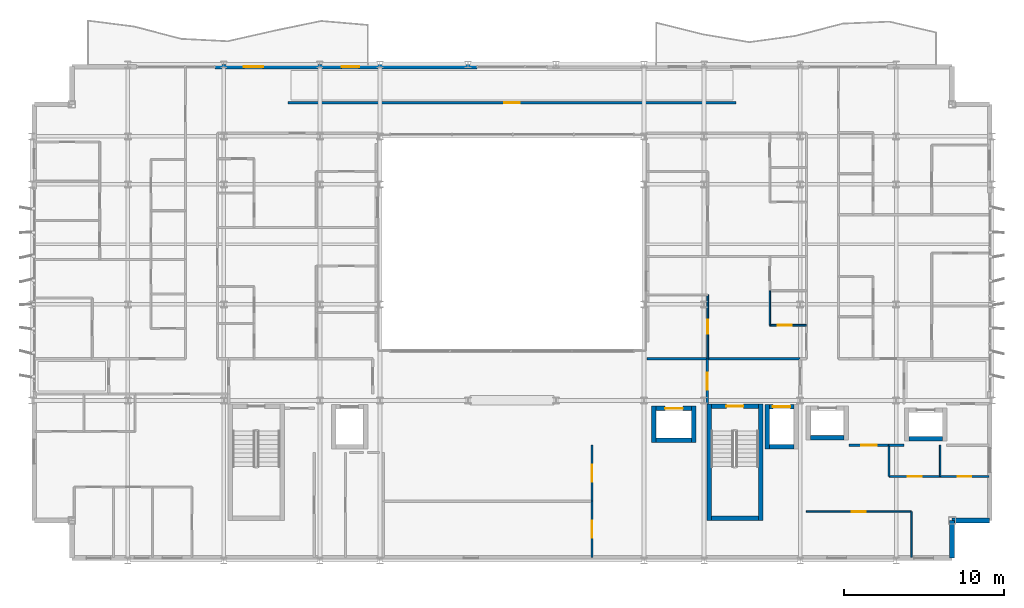
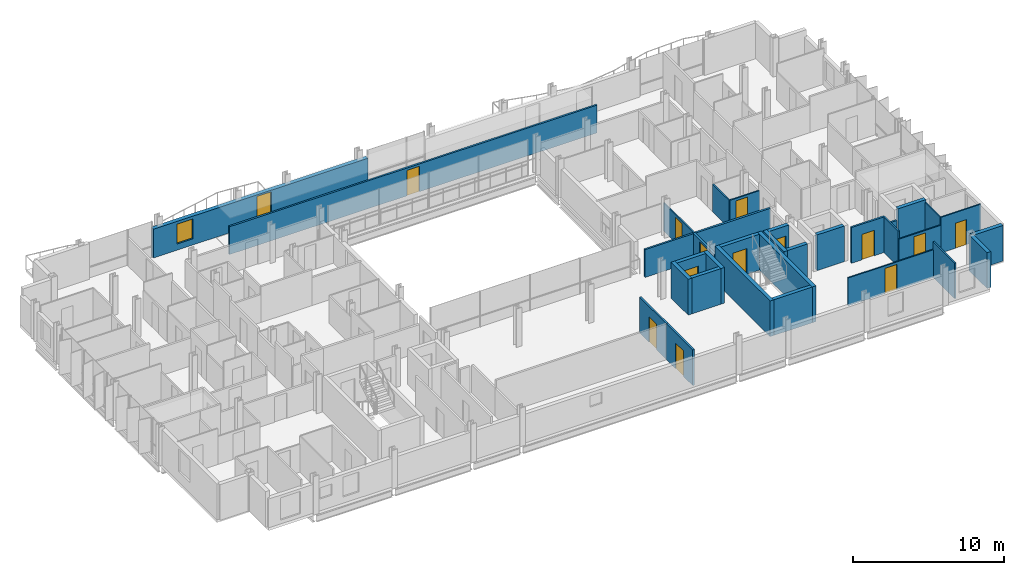
# One storey, part 30 of 38: 33 walls, 14 doors, 1 window, 15 openings.
"""IFC4 building model written with IfcOpenShell, lengths in metres."""

from ifc_helpers import new_model, si_unit, direction, frame, frame_2d, origin, place, context, subcontext, project, spatial, rectangle, extrude, material, layer, layer_set, type_object, element, fill, save


model = new_model("IFC4")

# Units and contexts
model_context = context("Model", 3, precision=1e-05, world=origin(), true_north=direction((0.0, 1.0)))
body_context = subcontext(model_context, "Body", "Model", "MODEL_VIEW")
ifc_project = project(units=[si_unit("LENGTHUNIT", "METRE"), si_unit("AREAUNIT", "SQUARE_METRE"), si_unit("VOLUMEUNIT", "CUBIC_METRE"), si_unit("PLANEANGLEUNIT", "RADIAN"), si_unit("MASSUNIT", "GRAM", prefix="KILO")], contexts=[model_context])

# Site, building, storey
site_placement = place(None, origin())
site = spatial("IfcSite", under=ifc_project, at=site_placement, CompositionType="ELEMENT")
building_placement = place(site_placement, origin())
building = spatial("IfcBuilding", under=site, at=building_placement, Name="Brevholm Reach", CompositionType="ELEMENT")
storey_placement = place(building_placement, frame((0.0, 0.0, 128.300048828125)))
storey = spatial("IfcBuildingStorey", under=building, at=storey_placement, Name="L38", CompositionType="ELEMENT", Elevation=128.300048828125)

# Walls
ifc_material_1 = material(Name="Concrete C50/60", Category="concrete")
ifc_layer_1 = layer(ifc_material_1, 0.280029296875)
ifc_layer_set_1 = layer_set([ifc_layer_1], Name="Concrete C50/60")
wall_type_1 = type_object("IfcWallType", Name="WAL-COR-280", PredefinedType="SHEAR", material=ifc_layer_set_1)
for number, where, z_axis, x_axis, name in (
    (1, (42.31005859375, 2.5, 0.0), (0.0, 0.0, 1.0), (0.0, 1.0, 0.0), "L38 Escape Stair ST-2 Core Wall W"),
    (2, (45.5400390625, 2.5, 0.0), (0.0, 0.0, 1.0), (0.0, 1.0, 0.0), "L38 Escape Stair ST-2 Core Wall E"),
):
    element("IfcWall", number, at=place(storey_placement, frame(where, z_axis=z_axis, x_axis=x_axis)), inside=storey, type_object=wall_type_1, Name=name, PredefinedType="SHEAR", context=body_context, shape_type="SweptSolid", body=[
        extrude(rectangle(XDim=7.280029296875, YDim=0.280029296875, at=frame_2d((3.64013671875, 0.0))), origin(), (0.0, 0.0, 1.0), 2.8798828125),
    ])
wall_1_placement = place(storey_placement, frame((42.449951171875, 2.639892578125, 0.0), z_axis=(0.0, 0.0, 1.0), x_axis=(1.0, 0.0, 0.0)))
element("IfcWall", 3, at=wall_1_placement, inside=storey, type_object=wall_type_1, Name="L38 Escape Stair ST-2 Core Wall S", PredefinedType="SHEAR", context=body_context, shape_type="SweptSolid", body=[
    extrude(rectangle(XDim=2.949951171875, YDim=0.280029296875, at=frame_2d((1.47509765625, 0.0))), origin(), (0.0, 0.0, 1.0), 2.8798828125),
])

# Wall, opening, door
wall_2_placement = place(storey_placement, frame((45.39990234375, 9.639892578125, 0.0), z_axis=(0.0, 0.0, 1.0), x_axis=(-1.0, 0.0, 0.0)))
wall_2 = element("IfcWall", 4, at=wall_2_placement, inside=storey, type_object=wall_type_1, Name="L38 Escape Stair ST-2 Core Wall N", PredefinedType="SHEAR", context=body_context, shape_type="SweptSolid", body=[
    extrude(rectangle(XDim=2.949951171875, YDim=0.280029296875, at=frame_2d((1.47509765625, 0.0))), origin(), (0.0, 0.0, 1.0), 2.8798828125),
])
opening_1_placement = place(wall_2_placement, frame((0.949951171875, 0.0, 0.0)))
opening_1 = element("IfcOpeningElement", 5, at=opening_1_placement, cuts=wall_2, Name="Opening SD-ST-2", PredefinedType="OPENING", context=body_context, shape_type="SweptSolid", body=[
    extrude(rectangle(XDim=1.050048828125, YDim=2.06005859375, at=frame_2d((0.52490234375, 1.030029296875))), frame((0.0, 0.14990234375, 0.0), z_axis=(0.0, -1.0, 0.0), x_axis=(1.0, 0.0, 0.0)), (0.0, 0.0, 1.0), 0.300048828125),
])
ifc_material_2 = material(Name="Hardwood-Lipped Steel-Core Fire and Smoke Door", Category="steel")
door_type_1 = type_object("IfcDoorType", Name="DOR-INT-FD60S", OperationType="NOTDEFINED", PredefinedType="DOOR", material=ifc_material_2)
door_1_placement = place(opening_1_placement, origin())
door_1 = element("IfcDoor", 6, at=door_1_placement, inside=storey, type_object=door_type_1, Name="L38 Protected Stair ST-2 Lobby Door", OperationType="SINGLE_SWING_LEFT", OverallHeight=2.06005859375, OverallWidth=1.050048828125, PredefinedType="DOOR", context=body_context, shape_type="SweptSolid", body=[
    extrude(rectangle(XDim=1.050048828125, YDim=2.06005859375, at=frame_2d((0.52490234375, 1.030029296875))), frame((0.0, 0.02490234375, 0.0), z_axis=(0.0, -1.0, 0.0), x_axis=(1.0, 0.0, 0.0)), (0.0, 0.0, 1.0), 0.050048828125),
])
fill(opening_1, door_1)

# Walls
wall_3_placement = place(storey_placement, frame((45.949951171875, 6.9599609375, 0.0), z_axis=(0.0, 0.0, 1.0), x_axis=(0.0, 1.0, 0.0)))
element("IfcWall", 7, at=wall_3_placement, inside=storey, type_object=wall_type_1, Name="L38 Lift FFL-2 Shaft Wall W", PredefinedType="SHEAR", context=body_context, shape_type="SweptSolid", body=[
    extrude(rectangle(XDim=2.780029296875, YDim=0.280029296875, at=frame_2d((1.39013671875, 0.0))), origin(), (0.0, 0.0, 1.0), 2.8798828125),
])
wall_4_placement = place(storey_placement, frame((46.090087890625, 7.10009765625, 0.0), z_axis=(0.0, 0.0, 1.0), x_axis=(1.0, 0.0, 0.0)))
element("IfcWall", 8, at=wall_4_placement, inside=storey, type_object=wall_type_1, Name="L38 Lift FFL-2 Shaft Wall S", PredefinedType="SHEAR", context=body_context, shape_type="SweptSolid", body=[
    extrude(rectangle(XDim=1.52001953125, YDim=0.280029296875, at=frame_2d((0.760009765625, 0.0))), origin(), (0.0, 0.0, 1.0), 2.8798828125),
])

# Wall, opening, door
wall_5_placement = place(storey_placement, frame((46.090087890625, 9.60009765625, 0.0), z_axis=(0.0, 0.0, 1.0), x_axis=(1.0, 0.0, 0.0)))
wall_5 = element("IfcWall", 9, at=wall_5_placement, inside=storey, type_object=wall_type_1, Name="L38 Lift FFL-2 Shaft Wall N", PredefinedType="SHEAR", context=body_context, shape_type="SweptSolid", body=[
    extrude(rectangle(XDim=1.52001953125, YDim=0.280029296875, at=frame_2d((0.760009765625, 0.0))), origin(), (0.0, 0.0, 1.0), 2.8798828125),
])
opening_2_placement = place(wall_5_placement, frame((0.2099609375, 0.0, 0.0)))
opening_2 = element("IfcOpeningElement", 10, at=opening_2_placement, cuts=wall_5, Name="Opening LD-FFL-2", PredefinedType="OPENING", context=body_context, shape_type="SweptSolid", body=[
    extrude(rectangle(XDim=1.10009765625, YDim=2.06005859375, at=frame_2d((0.550048828125, 1.030029296875))), frame((0.0, 0.14990234375, 0.0), z_axis=(0.0, -1.0, 0.0), x_axis=(1.0, 0.0, 0.0)), (0.0, 0.0, 1.0), 0.300048828125),
])
ifc_material_3 = material(Name="Brushed Stainless Steel Fire-Rated Sliding Lift Door", Category="steel")
door_type_2 = type_object("IfcDoorType", Name="DOR-LFT-1100", OperationType="NOTDEFINED", PredefinedType="DOOR", material=ifc_material_3)
door_2_placement = place(opening_2_placement, origin())
door_2 = element("IfcDoor", 11, at=door_2_placement, inside=storey, type_object=door_type_2, Name="L38 Lift FFL-2 Sliding Landing Door", OperationType="SLIDING_TO_LEFT", OverallHeight=2.06005859375, OverallWidth=1.10009765625, PredefinedType="DOOR", context=body_context, shape_type="SweptSolid", body=[
    extrude(rectangle(XDim=1.10009765625, YDim=2.06005859375, at=frame_2d((0.550048828125, 1.030029296875))), frame((0.0, 0.02490234375, 0.0), z_axis=(0.0, -1.0, 0.0), x_axis=(1.0, 0.0, 0.0)), (0.0, 0.0, 1.0), 0.050048828125),
])
fill(opening_2, door_2)

# Walls
wall_6_placement = place(storey_placement, frame((48.6650390625, 7.675048828125, 0.0), z_axis=(0.0, 0.0, 1.0), x_axis=(1.0, 0.0, 0.0)))
element("IfcWall", 12, at=wall_6_placement, inside=storey, type_object=wall_type_1, Name="L38 Lift PL-L1 Shaft Wall S", PredefinedType="SHEAR", context=body_context, shape_type="SweptSolid", body=[
    extrude(rectangle(XDim=2.070068359375, YDim=0.280029296875, at=frame_2d((1.03515625, 0.0))), origin(), (0.0, 0.0, 1.0), 2.8798828125),
])
wall_7_placement = place(storey_placement, frame((54.7900390625, 7.60009765625, 0.0), z_axis=(0.0, 0.0, 1.0), x_axis=(1.0, 0.0, 0.0)))
element("IfcWall", 13, at=wall_7_placement, inside=storey, type_object=wall_type_1, Name="L38 Lift PL-L2 Shaft Wall S", PredefinedType="SHEAR", context=body_context, shape_type="SweptSolid", body=[
    extrude(rectangle(XDim=2.119873046875, YDim=0.280029296875, at=frame_2d((1.06005859375, 0.0))), origin(), (0.0, 0.0, 1.0), 2.8798828125),
])
for number, where, z_axis, x_axis, name in (
    (14, (38.8701171875, 7.360107421875, 0.0), (0.0, 0.0, 1.0), (0.0, 1.0, 0.0), "L38 Lift PL-S1 Shaft Wall W"),
    (15, (41.3701171875, 7.360107421875, 0.0), (0.0, 0.0, 1.0), (0.0, 1.0, 0.0), "L38 Lift PL-S1 Shaft Wall E"),
):
    element("IfcWall", number, at=place(storey_placement, frame(where, z_axis=z_axis, x_axis=x_axis)), inside=storey, type_object=wall_type_1, Name=name, PredefinedType="SHEAR", context=body_context, shape_type="SweptSolid", body=[
        extrude(rectangle(XDim=2.27978515625, YDim=0.280029296875, at=frame_2d((1.139892578125, 0.0))), origin(), (0.0, 0.0, 1.0), 2.8798828125),
    ])
wall_8_placement = place(storey_placement, frame((39.010009765625, 7.5, 0.0), z_axis=(0.0, 0.0, 1.0), x_axis=(1.0, 0.0, 0.0)))
element("IfcWall", 16, at=wall_8_placement, inside=storey, type_object=wall_type_1, Name="L38 Lift PL-S1 Shaft Wall S", PredefinedType="SHEAR", context=body_context, shape_type="SweptSolid", body=[
    extrude(rectangle(XDim=2.219970703125, YDim=0.280029296875, at=frame_2d((1.10986328125, 0.0))), origin(), (0.0, 0.0, 1.0), 2.8798828125),
])

# Wall, opening, door
wall_9_placement = place(storey_placement, frame((39.010009765625, 9.5, 0.0), z_axis=(0.0, 0.0, 1.0), x_axis=(1.0, 0.0, 0.0)))
wall_9 = element("IfcWall", 17, at=wall_9_placement, inside=storey, type_object=wall_type_1, Name="L38 Lift PL-S1 Shaft Wall N", PredefinedType="SHEAR", context=body_context, shape_type="SweptSolid", body=[
    extrude(rectangle(XDim=2.219970703125, YDim=0.280029296875, at=frame_2d((1.10986328125, 0.0))), origin(), (0.0, 0.0, 1.0), 2.8798828125),
])
opening_3_placement = place(wall_9_placement, frame((0.56005859375, 0.0, 0.0)))
opening_3 = element("IfcOpeningElement", 18, at=opening_3_placement, cuts=wall_9, Name="Opening LD-PL-S1", PredefinedType="OPENING", context=body_context, shape_type="SweptSolid", body=[
    extrude(rectangle(XDim=1.10009765625, YDim=2.06005859375, at=frame_2d((0.550048828125, 1.030029296875))), frame((0.0, 0.14990234375, 0.0), z_axis=(0.0, -1.0, 0.0), x_axis=(1.0, 0.0, 0.0)), (0.0, 0.0, 1.0), 0.300048828125),
])
door_3_placement = place(opening_3_placement, origin())
door_3 = element("IfcDoor", 19, at=door_3_placement, inside=storey, type_object=door_type_2, Name="L38 Lift PL-S1 Sliding Landing Door", OperationType="SLIDING_TO_RIGHT", OverallHeight=2.06005859375, OverallWidth=1.10009765625, PredefinedType="DOOR", context=body_context, shape_type="SweptSolid", body=[
    extrude(rectangle(XDim=1.10009765625, YDim=2.06005859375, at=frame_2d((0.550048828125, 1.030029296875))), frame((0.0, 0.02490234375, 0.0), z_axis=(0.0, -1.0, 0.0), x_axis=(1.0, 0.0, 0.0)), (0.0, 0.0, 1.0), 0.050048828125),
])
fill(opening_3, door_3)

# Walls
ifc_material_4 = material(Name="Concrete C40/50", Category="concrete")
ifc_layer_2 = layer(ifc_material_4, 0.300048828125)
ifc_layer_set_2 = layer_set([ifc_layer_2], Name="Concrete C40/50")
wall_type_2 = type_object("IfcWallType", Name="WAL-EXT-300", PredefinedType="STANDARD", material=ifc_layer_set_2)
for number, where, z_axis, x_axis, name in (
    (20, (57.5, 0.14990234375, 0.0), (0.0, 0.0, 1.0), (0.0, 1.0, 0.0), "L38 Facade Wall WAL-L38-CSE1"),
    (21, (57.5, 2.5, 0.0), (0.0, 0.0, 1.0), (1.0, 0.0, 0.0), "L38 Facade Wall WAL-L38-CSE2"),
):
    element("IfcWall", number, at=place(storey_placement, frame(where, z_axis=z_axis, x_axis=x_axis)), inside=storey, type_object=wall_type_2, Name=name, PredefinedType="STANDARD", context=body_context, shape_type="SweptSolid", body=[
        extrude(rectangle(XDim=2.35009765625, YDim=0.300048828125, at=frame_2d((1.175048828125, 0.0))), origin(), (0.0, 0.0, 1.0), 2.8798828125),
    ])

# Wall, openings, door, window
wall_10_placement = place(storey_placement, frame((11.449951171875, 30.85009765625, 0.0), z_axis=(0.0, 0.0, 1.0), x_axis=(1.0, 0.0, 0.0)))
wall_10 = element("IfcWall", 22, at=wall_10_placement, inside=storey, type_object=wall_type_2, Name="L38 Facade Wall WAL-L38-NP-WL", PredefinedType="STANDARD", context=body_context, shape_type="SweptSolid", body=[
    extrude(rectangle(XDim=16.35009765625, YDim=0.300048828125, at=frame_2d((8.175048828125, 0.0))), origin(), (0.0, 0.0, 1.0), 2.32177734375),
])
opening_4_placement = place(wall_10_placement, frame((7.89794921875, 0.0, 0.0)))
opening_4 = element("IfcOpeningElement", 23, at=opening_4_placement, cuts=wall_10, Name="Opening BD-01", PredefinedType="OPENING", context=body_context, shape_type="SweptSolid", body=[
    extrude(rectangle(XDim=1.10009765625, YDim=2.199951171875, at=frame_2d((0.550048828125, 1.10009765625))), frame((0.0, 0.159912109375, 0.0), z_axis=(0.0, -1.0, 0.0), x_axis=(1.0, 0.0, 0.0)), (0.0, 0.0, 1.0), 0.320068359375),
])
opening_5_placement = place(wall_10_placement, frame((1.800048828125, 0.0, 0.501953125)))
opening_5 = element("IfcOpeningElement", 24, at=opening_5_placement, cuts=wall_10, Name="Opening WN-08", PredefinedType="OPENING", context=body_context, shape_type="SweptSolid", body=[
    extrude(rectangle(XDim=1.199951171875, YDim=1.60009765625, at=frame_2d((0.60009765625, 0.800048828125))), frame((0.0, 0.159912109375, 0.0), z_axis=(0.0, -1.0, 0.0), x_axis=(1.0, 0.0, 0.0)), (0.0, 0.0, 1.0), 0.320068359375),
])
ifc_material_5 = material(Name="Dark Anodised Aluminium and Triple-Glazed Glass", Category="aluminium")
door_type_3 = type_object("IfcDoorType", Name="DOR-BALC-1100", OperationType="NOTDEFINED", PredefinedType="DOOR", material=ifc_material_5)
door_4_placement = place(opening_4_placement, origin())
door_4 = element("IfcDoor", 25, at=door_4_placement, inside=storey, type_object=door_type_3, Name="L38 Exterior Door DOR-L38-BL-NW", OperationType="SINGLE_SWING_RIGHT", OverallHeight=2.199951171875, OverallWidth=1.10009765625, PredefinedType="DOOR", context=body_context, shape_type="SweptSolid", body=[
    extrude(rectangle(XDim=1.10009765625, YDim=2.199951171875, at=frame_2d((0.550048828125, 1.10009765625))), frame((0.0, 0.02490234375, 0.0), z_axis=(0.0, -1.0, 0.0), x_axis=(1.0, 0.0, 0.0)), (0.0, 0.0, 1.0), 0.050048828125),
])
fill(opening_4, door_4)
ifc_material_6 = material(Name="Dark Anodised Aluminium and Solar-Control IGU Glass", Category="aluminium")
window_type = type_object("IfcWindowType", Name="WIN-RES-1200", PartitioningType="SINGLE_PANEL", PredefinedType="WINDOW", material=ifc_material_6)
window_placement = place(opening_5_placement, origin())
window = element("IfcWindow", 26, at=window_placement, inside=storey, type_object=window_type, Name="L38 Window WIN-L38-NP-WL1", OverallHeight=1.60009765625, OverallWidth=1.199951171875, PartitioningType="SINGLE_PANEL", PredefinedType="WINDOW", context=body_context, shape_type="SweptSolid", body=[
    extrude(rectangle(XDim=1.199951171875, YDim=1.60009765625, at=frame_2d((0.60009765625, 0.800048828125))), frame((0.0, 0.030029296875, 0.0), z_axis=(0.0, -1.0, 0.0), x_axis=(1.0, 0.0, 0.0)), (0.0, 0.0, 1.0), 0.06005859375),
])
fill(opening_5, window)

# Wall
ifc_material_7 = material(Name="Moisture-Resistant Acoustic Gypsum Stud Partition 100 mm", Category="gypsum")
ifc_layer_3 = layer(ifc_material_7, 0.10009765625)
ifc_layer_set_3 = layer_set([ifc_layer_3], Name="Moisture-Resistant Acoustic Gypsum Stud Partition 100 mm")
wall_type_3 = type_object("IfcWallType", Name="WAL-PRT-100", PredefinedType="PARTITIONING", material=ifc_layer_set_3)
wall_11_placement = place(storey_placement, frame((56.75, 5.25, 0.0), z_axis=(0.0, 0.0, 1.0), x_axis=(0.0, 1.0, 0.0)))
element("IfcWall", 27, at=wall_11_placement, inside=storey, type_object=wall_type_3, Name="L38 Internal Partition 078", PredefinedType="PARTITIONING", context=body_context, shape_type="SweptSolid", body=[
    extrude(rectangle(XDim=1.949951171875, YDim=0.10009765625, at=frame_2d((0.97509765625, 0.0))), origin(), (0.0, 0.0, 1.0), 2.8798828125),
])

# Wall, opening, door
wall_12_placement = place(storey_placement, frame((56.75, 5.25, 0.0), z_axis=(0.0, 0.0, 1.0), x_axis=(1.0, 0.0, 0.0)))
wall_12 = element("IfcWall", 28, at=wall_12_placement, inside=storey, type_object=wall_type_3, Name="L38 Internal Partition 079", PredefinedType="PARTITIONING", context=body_context, shape_type="SweptSolid", body=[
    extrude(rectangle(XDim=3.050048828125, YDim=0.10009765625, at=frame_2d((1.52490234375, 0.0))), origin(), (0.0, 0.0, 1.0), 2.8798828125),
])
opening_6_placement = place(wall_12_placement, frame((1.114990234375, 0.0, 0.0)))
opening_6 = element("IfcOpeningElement", 29, at=opening_6_placement, cuts=wall_12, Name="Opening ID-03", PredefinedType="OPENING", context=body_context, shape_type="SweptSolid", body=[
    extrude(rectangle(XDim=0.820068359375, YDim=2.02001953125, at=frame_2d((0.41015625, 1.010009765625))), frame((0.0, 0.06005859375, 0.0), z_axis=(0.0, -1.0, 0.0), x_axis=(1.0, 0.0, 0.0)), (0.0, 0.0, 1.0), 0.1201171875),
])
ifc_material_8 = material(Name="Moisture-Resistant Painted Timber Internal Bathroom Door", Category="wood")
door_type_4 = type_object("IfcDoorType", Name="DOR-BATH-820", OperationType="NOTDEFINED", PredefinedType="DOOR", material=ifc_material_8)
door_5_placement = place(opening_6_placement, origin())
door_5 = element("IfcDoor", 30, at=door_5_placement, inside=storey, type_object=door_type_4, Name="L38 Internal Door 027", OperationType="SINGLE_SWING_LEFT", OverallHeight=2.02001953125, OverallWidth=0.820068359375, PredefinedType="DOOR", context=body_context, shape_type="SweptSolid", body=[
    extrude(rectangle(XDim=0.820068359375, YDim=2.02001953125, at=frame_2d((0.41015625, 1.010009765625))), frame((0.0, 0.02490234375, 0.0), z_axis=(0.0, -1.0, 0.0), x_axis=(1.0, 0.0, 0.0)), (0.0, 0.0, 1.0), 0.050048828125),
])
fill(opening_6, door_5)

wall_13_placement = place(storey_placement, frame((53.55810546875, 5.25, 0.0), z_axis=(0.0, 0.0, 1.0), x_axis=(1.0, 0.0, 0.0)))
wall_13 = element("IfcWall", 31, at=wall_13_placement, inside=storey, type_object=wall_type_3, Name="L38 Internal Partition 080", PredefinedType="PARTITIONING", context=body_context, shape_type="SweptSolid", body=[
    extrude(rectangle(XDim=3.18798828125, YDim=0.10009765625, at=frame_2d((1.593994140625, 0.0))), origin(), (0.0, 0.0, 1.0), 2.24267578125),
])
opening_7_placement = place(wall_13_placement, frame((1.154052734375, 0.0, 0.0)))
opening_7 = element("IfcOpeningElement", 32, at=opening_7_placement, cuts=wall_13, Name="Opening ID-01", PredefinedType="OPENING", context=body_context, shape_type="SweptSolid", body=[
    extrude(rectangle(XDim=0.8798828125, YDim=2.0400390625, at=frame_2d((0.43994140625, 1.02001953125))), frame((0.0, 0.06005859375, 0.0), z_axis=(0.0, -1.0, 0.0), x_axis=(1.0, 0.0, 0.0)), (0.0, 0.0, 1.0), 0.1201171875),
])
ifc_material_9 = material(Name="Lacquered Ash Solid-Core Acoustic Internal Door", Category="timber")
door_type_5 = type_object("IfcDoorType", Name="DOR-INT-880", OperationType="NOTDEFINED", PredefinedType="DOOR", material=ifc_material_9)
door_6_placement = place(opening_7_placement, origin())
door_6 = element("IfcDoor", 33, at=door_6_placement, inside=storey, type_object=door_type_5, Name="L38 Internal Door 028", OperationType="SINGLE_SWING_RIGHT", OverallHeight=2.0400390625, OverallWidth=0.8798828125, PredefinedType="DOOR", context=body_context, shape_type="SweptSolid", body=[
    extrude(rectangle(XDim=0.8798828125, YDim=2.0400390625, at=frame_2d((0.43994140625, 1.02001953125))), frame((0.0, 0.02490234375, 0.0), z_axis=(0.0, -1.0, 0.0), x_axis=(1.0, 0.0, 0.0)), (0.0, 0.0, 1.0), 0.050048828125),
])
fill(opening_7, door_6)

# Walls
wall_14_placement = place(storey_placement, frame((53.55810546875, 5.25, 0.0), z_axis=(0.0, 0.0, 1.0), x_axis=(0.0, 1.0, 0.0)))
element("IfcWall", 34, at=wall_14_placement, inside=storey, type_object=wall_type_3, Name="L38 Internal Partition 081", PredefinedType="PARTITIONING", context=body_context, shape_type="SweptSolid", body=[
    extrude(rectangle(XDim=1.946044921875, YDim=0.10009765625, at=frame_2d((0.97314453125, 0.0))), origin(), (0.0, 0.0, 1.0), 2.8798828125),
])
wall_15_placement = place(storey_placement, frame((54.949951171875, 0.199951171875, 0.0), z_axis=(0.0, 0.0, 1.0), x_axis=(0.0, 1.0, 0.0)))
element("IfcWall", 35, at=wall_15_placement, inside=storey, type_object=wall_type_3, Name="L38 Internal Partition 082", PredefinedType="PARTITIONING", context=body_context, shape_type="SweptSolid", body=[
    extrude(rectangle(XDim=2.85009765625, YDim=0.10009765625, at=frame_2d((1.425048828125, 0.0))), origin(), (0.0, 0.0, 1.0), 2.8798828125),
])

# Wall, opening, door
wall_16_placement = place(storey_placement, frame((48.39990234375, 3.050048828125, 0.0), z_axis=(0.0, 0.0, 1.0), x_axis=(1.0, 0.0, 0.0)))
wall_16 = element("IfcWall", 36, at=wall_16_placement, inside=storey, type_object=wall_type_3, Name="L38 Internal Partition 083", PredefinedType="PARTITIONING", context=body_context, shape_type="SweptSolid", body=[
    extrude(rectangle(XDim=6.550048828125, YDim=0.10009765625, at=frame_2d((3.27490234375, 0.0))), origin(), (0.0, 0.0, 1.0), 2.24267578125),
])
opening_8_placement = place(wall_16_placement, frame((2.8349609375, 0.0, 0.0)))
opening_8 = element("IfcOpeningElement", 37, at=opening_8_placement, cuts=wall_16, Name="Opening ID-01", PredefinedType="OPENING", context=body_context, shape_type="SweptSolid", body=[
    extrude(rectangle(XDim=0.8798828125, YDim=2.0400390625, at=frame_2d((0.43994140625, 1.02001953125))), frame((0.0, 0.06005859375, 0.0), z_axis=(0.0, -1.0, 0.0), x_axis=(1.0, 0.0, 0.0)), (0.0, 0.0, 1.0), 0.1201171875),
])
door_7_placement = place(opening_8_placement, origin())
door_7 = element("IfcDoor", 38, at=door_7_placement, inside=storey, type_object=door_type_5, Name="L38 Internal Door 029", OperationType="SINGLE_SWING_LEFT", OverallHeight=2.0400390625, OverallWidth=0.8798828125, PredefinedType="DOOR", context=body_context, shape_type="SweptSolid", body=[
    extrude(rectangle(XDim=0.8798828125, YDim=2.0400390625, at=frame_2d((0.43994140625, 1.02001953125))), frame((0.0, 0.02490234375, 0.0), z_axis=(0.0, -1.0, 0.0), x_axis=(1.0, 0.0, 0.0)), (0.0, 0.0, 1.0), 0.050048828125),
])
fill(opening_8, door_7)

wall_17_placement = place(storey_placement, frame((46.112060546875, 14.699951171875, 0.0), z_axis=(0.0, 0.0, 1.0), x_axis=(1.0, 0.0, 0.0)))
wall_17 = element("IfcWall", 39, at=wall_17_placement, inside=storey, type_object=wall_type_3, Name="L38 Internal Partition 123", PredefinedType="PARTITIONING", context=body_context, shape_type="SweptSolid", body=[
    extrude(rectangle(XDim=2.283935546875, YDim=0.10009765625, at=frame_2d((1.14208984375, 0.0))), origin(), (0.0, 0.0, 1.0), 2.24267578125),
])
opening_9_placement = place(wall_17_placement, frame((0.48193359375, 0.0, 0.0)))
opening_9 = element("IfcOpeningElement", 40, at=opening_9_placement, cuts=wall_17, Name="Opening ID-01", PredefinedType="OPENING", context=body_context, shape_type="SweptSolid", body=[
    extrude(rectangle(XDim=0.8798828125, YDim=2.0400390625, at=frame_2d((0.43994140625, 1.02001953125))), frame((0.0, 0.06005859375, 0.0), z_axis=(0.0, -1.0, 0.0), x_axis=(1.0, 0.0, 0.0)), (0.0, 0.0, 1.0), 0.1201171875),
])
door_8_placement = place(opening_9_placement, origin())
door_8 = element("IfcDoor", 41, at=door_8_placement, inside=storey, type_object=door_type_5, Name="L38 Internal Door 046", OperationType="SINGLE_SWING_RIGHT", OverallHeight=2.0400390625, OverallWidth=0.8798828125, PredefinedType="DOOR", context=body_context, shape_type="SweptSolid", body=[
    extrude(rectangle(XDim=0.8798828125, YDim=2.0400390625, at=frame_2d((0.43994140625, 1.02001953125))), frame((0.0, 0.02490234375, 0.0), z_axis=(0.0, -1.0, 0.0), x_axis=(1.0, 0.0, 0.0)), (0.0, 0.0, 1.0), 0.050048828125),
])
fill(opening_9, door_8)

# Wall
wall_18_placement = place(storey_placement, frame((46.112060546875, 14.699951171875, 0.0), z_axis=(0.0, 0.0, 1.0), x_axis=(0.0, 1.0, 0.0)))
element("IfcWall", 42, at=wall_18_placement, inside=storey, type_object=wall_type_3, Name="L38 Internal Partition 124", PredefinedType="PARTITIONING", context=body_context, shape_type="SweptSolid", body=[
    extrude(rectangle(XDim=2.14599609375, YDim=0.10009765625, at=frame_2d((1.072998046875, 0.0))), origin(), (0.0, 0.0, 1.0), 2.24267578125),
])

# Wall, opening, door
wall_19_placement = place(storey_placement, frame((42.23095703125, 12.60400390625, 0.0), z_axis=(0.0, 0.0, 1.0), x_axis=(0.0, 1.0, 0.0)))
wall_19 = element("IfcWall", 43, at=wall_19_placement, inside=storey, type_object=wall_type_3, Name="L38 Internal Partition 125", PredefinedType="PARTITIONING", context=body_context, shape_type="SweptSolid", body=[
    extrude(rectangle(XDim=3.99609375, YDim=0.10009765625, at=frame_2d((1.998046875, 0.0))), origin(), (0.0, 0.0, 1.0), 2.24267578125),
])
opening_10_placement = place(wall_19_placement, frame((1.55810546875, 0.0, 0.0)))
opening_10 = element("IfcOpeningElement", 44, at=opening_10_placement, cuts=wall_19, Name="Opening ID-01", PredefinedType="OPENING", context=body_context, shape_type="SweptSolid", body=[
    extrude(rectangle(XDim=0.8798828125, YDim=2.0400390625, at=frame_2d((0.43994140625, 1.02001953125))), frame((0.0, 0.06005859375, 0.0), z_axis=(0.0, -1.0, 0.0), x_axis=(1.0, 0.0, 0.0)), (0.0, 0.0, 1.0), 0.1201171875),
])
door_9_placement = place(opening_10_placement, origin())
door_9 = element("IfcDoor", 45, at=door_9_placement, inside=storey, type_object=door_type_5, Name="L38 Internal Door 047", OperationType="SINGLE_SWING_LEFT", OverallHeight=2.0400390625, OverallWidth=0.8798828125, PredefinedType="DOOR", context=body_context, shape_type="SweptSolid", body=[
    extrude(rectangle(XDim=0.8798828125, YDim=2.0400390625, at=frame_2d((0.43994140625, 1.02001953125))), frame((0.0, 0.02490234375, 0.0), z_axis=(0.0, -1.0, 0.0), x_axis=(1.0, 0.0, 0.0)), (0.0, 0.0, 1.0), 0.050048828125),
])
fill(opening_10, door_9)

ifc_material_10 = material(Name="Twin-Stud Acoustic Fire-Rated Gypsum Partition 140 mm", Category="gypsum")
ifc_layer_4 = layer(ifc_material_10, 0.139892578125)
ifc_layer_set_4 = layer_set([ifc_layer_4], Name="Twin-Stud Acoustic Fire-Rated Gypsum Partition 140 mm")
wall_type_4 = type_object("IfcWallType", Name="WAL-PRT-140", PredefinedType="PARTITIONING", material=ifc_layer_set_4)
wall_20_placement = place(storey_placement, frame((35.0, 0.179931640625, 0.0), z_axis=(0.0, 0.0, 1.0), x_axis=(0.0, 1.0, 0.0)))
wall_20 = element("IfcWall", 46, at=wall_20_placement, inside=storey, type_object=wall_type_4, Name="L38 Internal Partition 001", PredefinedType="PARTITIONING", context=body_context, shape_type="SweptSolid", body=[
    extrude(rectangle(XDim=3.53125, YDim=0.139892578125, at=frame_2d((1.765625, 0.0))), origin(), (0.0, 0.0, 1.0), 2.8798828125),
])
opening_11_placement = place(wall_20_placement, frame((1.24072265625, 0.0, 0.0)))
opening_11 = element("IfcOpeningElement", 47, at=opening_11_placement, cuts=wall_20, Name="Opening FD-01", PredefinedType="OPENING", context=body_context, shape_type="SweptSolid", body=[
    extrude(rectangle(XDim=1.050048828125, YDim=2.06005859375, at=frame_2d((0.52490234375, 1.030029296875))), frame((0.0, 0.079833984375, 0.0), z_axis=(0.0, -1.0, 0.0), x_axis=(1.0, 0.0, 0.0)), (0.0, 0.0, 1.0), 0.159912109375),
])
door_10_placement = place(opening_11_placement, origin())
door_10 = element("IfcDoor", 48, at=door_10_placement, inside=storey, type_object=door_type_1, Name="L38 Internal Door 001", OperationType="SINGLE_SWING_LEFT", OverallHeight=2.06005859375, OverallWidth=1.050048828125, PredefinedType="DOOR", context=body_context, shape_type="SweptSolid", body=[
    extrude(rectangle(XDim=1.050048828125, YDim=2.06005859375, at=frame_2d((0.52490234375, 1.030029296875))), frame((0.0, 0.02490234375, 0.0), z_axis=(0.0, -1.0, 0.0), x_axis=(1.0, 0.0, 0.0)), (0.0, 0.0, 1.0), 0.050048828125),
])
fill(opening_11, door_10)

wall_21_placement = place(storey_placement, frame((35.0, 3.692626953125, 0.0), z_axis=(0.0, 0.0, 1.0), x_axis=(0.0, 1.0, 0.0)))
wall_21 = element("IfcWall", 49, at=wall_21_placement, inside=storey, type_object=wall_type_4, Name="L38 Internal Partition 002", PredefinedType="PARTITIONING", context=body_context, shape_type="SweptSolid", body=[
    extrude(rectangle(XDim=3.5185546875, YDim=0.139892578125, at=frame_2d((1.75927734375, 0.0))), origin(), (0.0, 0.0, 1.0), 2.8798828125),
])
opening_12_placement = place(wall_21_placement, frame((1.234375, 0.0, 0.0)))
opening_12 = element("IfcOpeningElement", 50, at=opening_12_placement, cuts=wall_21, Name="Opening FD-01", PredefinedType="OPENING", context=body_context, shape_type="SweptSolid", body=[
    extrude(rectangle(XDim=1.050048828125, YDim=2.06005859375, at=frame_2d((0.52490234375, 1.030029296875))), frame((0.0, 0.079833984375, 0.0), z_axis=(0.0, -1.0, 0.0), x_axis=(1.0, 0.0, 0.0)), (0.0, 0.0, 1.0), 0.159912109375),
])
door_11_placement = place(opening_12_placement, origin())
door_11 = element("IfcDoor", 51, at=door_11_placement, inside=storey, type_object=door_type_1, Name="L38 Internal Door 002", OperationType="SINGLE_SWING_RIGHT", OverallHeight=2.06005859375, OverallWidth=1.050048828125, PredefinedType="DOOR", context=body_context, shape_type="SweptSolid", body=[
    extrude(rectangle(XDim=1.050048828125, YDim=2.06005859375, at=frame_2d((0.52490234375, 1.030029296875))), frame((0.0, 0.02490234375, 0.0), z_axis=(0.0, -1.0, 0.0), x_axis=(1.0, 0.0, 0.0)), (0.0, 0.0, 1.0), 0.050048828125),
])
fill(opening_12, door_11)

# Wall
wall_22_placement = place(storey_placement, frame((53.546630859375, 7.199951171875, 0.0), z_axis=(0.0, 0.0, 1.0), x_axis=(1.0, 0.0, 0.0)))
element("IfcWall", 52, at=wall_22_placement, inside=storey, type_object=wall_type_4, Name="L38 Internal Partition 010", PredefinedType="PARTITIONING", context=body_context, shape_type="SweptSolid", body=[
    extrude(rectangle(XDim=0.953369140625, YDim=0.139892578125, at=frame_2d((0.4765625, 0.0))), origin(), (0.0, 0.0, 1.0), 2.24267578125),
])

# Wall, opening, door
wall_23_placement = place(storey_placement, frame((51.050048828125, 7.199951171875, 0.0), z_axis=(0.0, 0.0, 1.0), x_axis=(1.0, 0.0, 0.0)))
wall_23 = element("IfcWall", 53, at=wall_23_placement, inside=storey, type_object=wall_type_4, Name="L38 Internal Partition 011", PredefinedType="PARTITIONING", context=body_context, shape_type="SweptSolid", body=[
    extrude(rectangle(XDim=2.51513671875, YDim=0.139892578125, at=frame_2d((1.257568359375, 0.0))), origin(), (0.0, 0.0, 1.0), 2.8798828125),
])
opening_13_placement = place(wall_23_placement, frame((0.78271484375, 0.0, 0.0)))
opening_13 = element("IfcOpeningElement", 54, at=opening_13_placement, cuts=wall_23, Name="Opening ID-30", PredefinedType="OPENING", context=body_context, shape_type="SweptSolid", body=[
    extrude(rectangle(XDim=0.949951171875, YDim=2.050048828125, at=frame_2d((0.47509765625, 1.02490234375))), frame((0.0, 0.079833984375, 0.0), z_axis=(0.0, -1.0, 0.0), x_axis=(1.0, 0.0, 0.0)), (0.0, 0.0, 1.0), 0.159912109375),
])
ifc_material_11 = material(Name="European Oak Veneered Solid-Core Fire Entrance Door", Category="timber")
door_type_6 = type_object("IfcDoorType", Name="DOR-FLT-FD30S", OperationType="NOTDEFINED", PredefinedType="DOOR", material=ifc_material_11)
door_12_placement = place(opening_13_placement, origin())
door_12 = element("IfcDoor", 55, at=door_12_placement, inside=storey, type_object=door_type_6, Name="L38 Internal Door 006", OperationType="SINGLE_SWING_RIGHT", OverallHeight=2.050048828125, OverallWidth=0.949951171875, PredefinedType="DOOR", context=body_context, shape_type="SweptSolid", body=[
    extrude(rectangle(XDim=0.949951171875, YDim=2.050048828125, at=frame_2d((0.47509765625, 1.02490234375))), frame((0.0, 0.02490234375, 0.0), z_axis=(0.0, -1.0, 0.0), x_axis=(1.0, 0.0, 0.0)), (0.0, 0.0, 1.0), 0.050048828125),
])
fill(opening_13, door_12)

# Wall
wall_24_placement = place(storey_placement, frame((38.438720703125, 12.60009765625, 0.0), z_axis=(0.0, 0.0, 1.0), x_axis=(1.0, 0.0, 0.0)))
element("IfcWall", 56, at=wall_24_placement, inside=storey, type_object=wall_type_4, Name="L38 Internal Partition 028", PredefinedType="PARTITIONING", context=body_context, shape_type="SweptSolid", body=[
    extrude(rectangle(XDim=3.75732421875, YDim=0.139892578125, at=frame_2d((1.878662109375, 0.0))), origin(), (0.0, 0.0, 1.0), 2.24267578125),
])

# Wall, opening, door
wall_25_placement = place(storey_placement, frame((15.98876953125, 28.60009765625, 0.0), z_axis=(0.0, 0.0, 1.0), x_axis=(1.0, 0.0, 0.0)))
wall_25 = element("IfcWall", 57, at=wall_25_placement, inside=storey, type_object=wall_type_4, Name="L38 Internal Partition 058", PredefinedType="PARTITIONING", context=body_context, shape_type="SweptSolid", body=[
    extrude(rectangle(XDim=28.0224609375, YDim=0.139892578125, at=frame_2d((14.01123046875, 0.0))), origin(), (0.0, 0.0, 1.0), 2.24267578125),
])
opening_14_placement = place(wall_25_placement, frame((13.536376953125, 0.0, 0.0)))
opening_14 = element("IfcOpeningElement", 58, at=opening_14_placement, cuts=wall_25, Name="Opening ID-30", PredefinedType="OPENING", context=body_context, shape_type="SweptSolid", body=[
    extrude(rectangle(XDim=0.949951171875, YDim=2.050048828125, at=frame_2d((0.47509765625, 1.02490234375))), frame((0.0, 0.079833984375, 0.0), z_axis=(0.0, -1.0, 0.0), x_axis=(1.0, 0.0, 0.0)), (0.0, 0.0, 1.0), 0.159912109375),
])
door_13_placement = place(opening_14_placement, origin())
door_13 = element("IfcDoor", 59, at=door_13_placement, inside=storey, type_object=door_type_6, Name="L38 Internal Door 021", OperationType="SINGLE_SWING_LEFT", OverallHeight=2.050048828125, OverallWidth=0.949951171875, PredefinedType="DOOR", context=body_context, shape_type="SweptSolid", body=[
    extrude(rectangle(XDim=0.949951171875, YDim=2.050048828125, at=frame_2d((0.47509765625, 1.02490234375))), frame((0.0, 0.02490234375, 0.0), z_axis=(0.0, -1.0, 0.0), x_axis=(1.0, 0.0, 0.0)), (0.0, 0.0, 1.0), 0.050048828125),
])
fill(opening_14, door_13)

ifc_material_12 = material(Name="Twin-Frame Fire-Rated Gypsum Board and Mineral Wool 160 mm", Category="gypsum")
ifc_layer_5 = layer(ifc_material_12, 0.159912109375)
ifc_layer_set_5 = layer_set([ifc_layer_5], Name="Twin-Frame Fire-Rated Gypsum Board and Mineral Wool 160 mm")
wall_type_5 = type_object("IfcWallType", Name="WAL-PRT-160", PredefinedType="PARTITIONING", material=ifc_layer_set_5)
wall_26_placement = place(storey_placement, frame((42.199951171875, 9.7900390625, 0.0), z_axis=(0.0, 0.0, 1.0), x_axis=(0.0, 1.0, 0.0)))
wall_26 = element("IfcWall", 60, at=wall_26_placement, inside=storey, type_object=wall_type_5, Name="L38 Internal Partition 020", PredefinedType="PARTITIONING", context=body_context, shape_type="SweptSolid", body=[
    extrude(rectangle(XDim=2.81005859375, YDim=0.159912109375, at=frame_2d((1.405029296875, 0.0))), origin(), (0.0, 0.0, 1.0), 2.24267578125),
])
opening_15_placement = place(wall_26_placement, frame((0.8798828125, 0.0, 0.0)))
opening_15 = element("IfcOpeningElement", 61, at=opening_15_placement, cuts=wall_26, Name="Opening FD-01", PredefinedType="OPENING", context=body_context, shape_type="SweptSolid", body=[
    extrude(rectangle(XDim=1.050048828125, YDim=2.06005859375, at=frame_2d((0.52490234375, 1.030029296875))), frame((0.0, 0.08984375, 0.0), z_axis=(0.0, -1.0, 0.0), x_axis=(1.0, 0.0, 0.0)), (0.0, 0.0, 1.0), 0.179931640625),
])
door_14_placement = place(opening_15_placement, origin())
door_14 = element("IfcDoor", 62, at=door_14_placement, inside=storey, type_object=door_type_1, Name="L38 Internal Door 010", OperationType="SINGLE_SWING_RIGHT", OverallHeight=2.06005859375, OverallWidth=1.050048828125, PredefinedType="DOOR", context=body_context, shape_type="SweptSolid", body=[
    extrude(rectangle(XDim=1.050048828125, YDim=2.06005859375, at=frame_2d((0.52490234375, 1.030029296875))), frame((0.0, 0.02490234375, 0.0), z_axis=(0.0, -1.0, 0.0), x_axis=(1.0, 0.0, 0.0)), (0.0, 0.0, 1.0), 0.050048828125),
])
fill(opening_15, door_14)

# Wall
wall_27_placement = place(storey_placement, frame((42.2236328125, 12.60009765625, 0.0), z_axis=(0.0, 0.0, 1.0), x_axis=(1.0, 0.0, 0.0)))
element("IfcWall", 63, at=wall_27_placement, inside=storey, type_object=wall_type_5, Name="L38 Internal Partition 022", PredefinedType="PARTITIONING", context=body_context, shape_type="SweptSolid", body=[
    extrude(rectangle(XDim=5.7763671875, YDim=0.159912109375, at=frame_2d((2.88818359375, 0.0))), origin(), (0.0, 0.0, 1.0), 2.24267578125),
])

save(model, "model.ifc")
